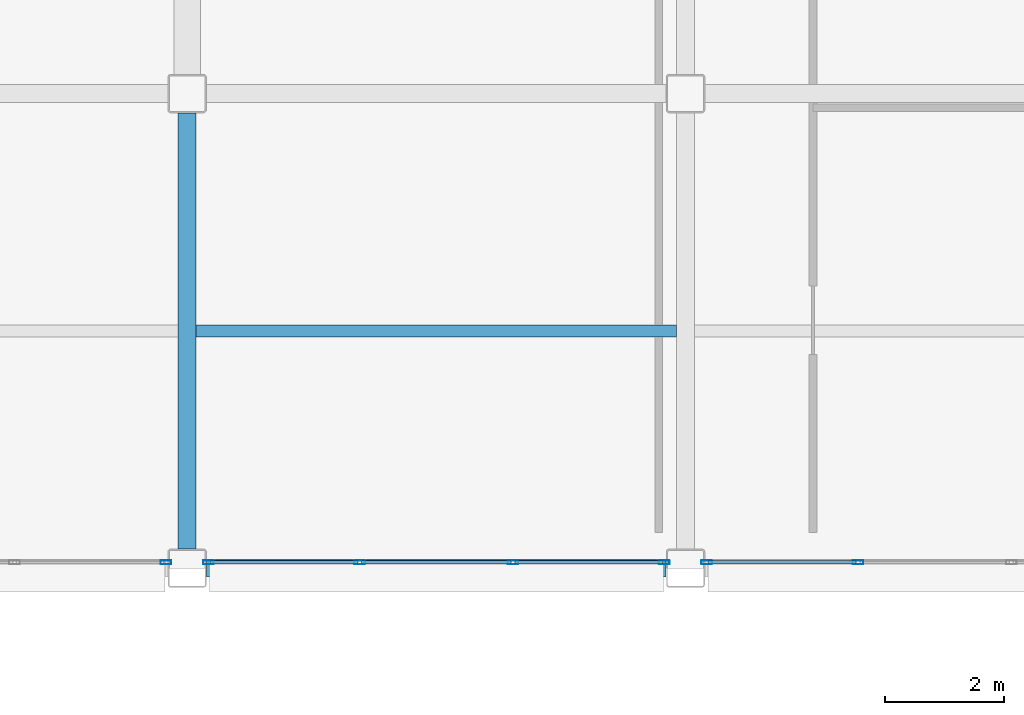
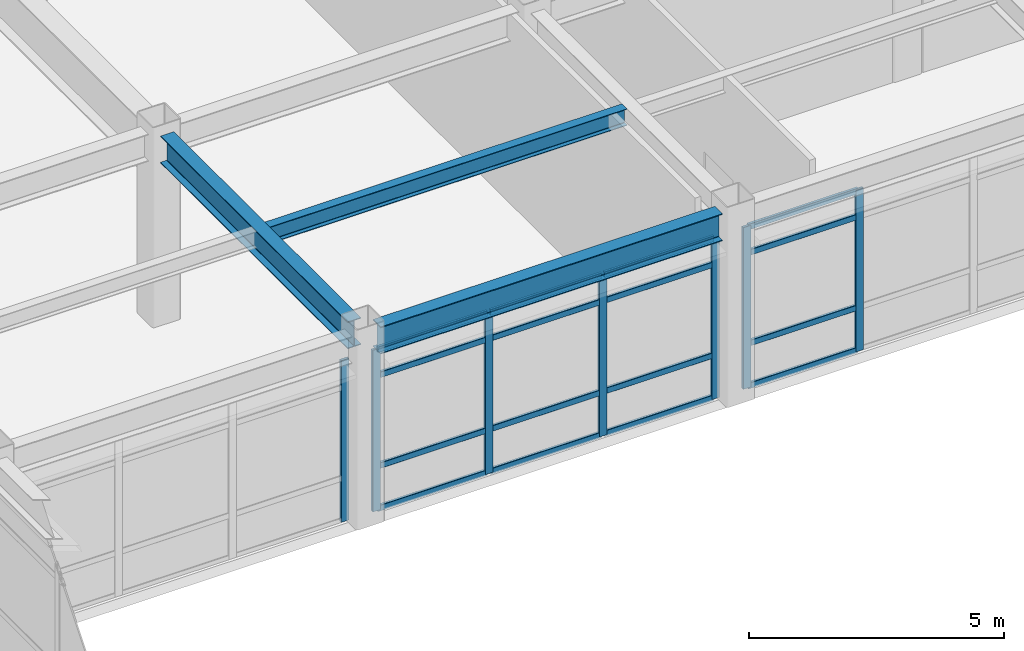
# One storey, part 43 of 172: 23 members, 3 beams, 3 elements without a shape of their own.
"""IFC4 building model written with IfcOpenShell, lengths in metres."""

from ifc_helpers import new_model, si_unit, direction, frame, origin, origin_2d, place, context, subcontext, project, spatial, hollow_rectangle, i_section, extrude, material, layer, layer_set, material_profile, profile_set, type_object, element, aggregate, save


model = new_model("IFC4")

# Units and contexts
model_context = context("Model", 3, precision=1e-05, world=origin(), true_north=direction((0.0, 1.0)))
body_context = subcontext(model_context, "Body", "Model", "MODEL_VIEW")
ifc_project = project(units=[si_unit("LENGTHUNIT", "METRE"), si_unit("AREAUNIT", "SQUARE_METRE"), si_unit("VOLUMEUNIT", "CUBIC_METRE"), si_unit("PLANEANGLEUNIT", "RADIAN"), si_unit("MASSUNIT", "GRAM", prefix="KILO")], contexts=[model_context])

# Site, building, storey
site_placement = place(None, origin())
site = spatial("IfcSite", under=ifc_project, at=site_placement, CompositionType="ELEMENT")
building_placement = place(site_placement, origin())
building = spatial("IfcBuilding", under=site, at=building_placement, Name="Kazehara Bluff Congress Hotel", CompositionType="ELEMENT")
storey_placement = place(building_placement, frame((0.0, 0.0, 5.39990234375)))
storey = spatial("IfcBuildingStorey", under=building, at=storey_placement, Name="L01", CompositionType="ELEMENT", Elevation=5.39990234375)

# Curtain wall, member
ifc_material_1 = material(Name="Anodised aluminium", Category="aluminium")
ifc_layer = layer(ifc_material_1, 0.159912109375)
ifc_layer_set = layer_set([ifc_layer], Name="Anodised aluminium")
curtain_wall_type = type_object("IfcCurtainWallType", Name="TP-CW-24", PredefinedType="NOTDEFINED", material=ifc_layer_set)
curtain_wall_1_placement = place(storey_placement, origin())
curtain_wall_1 = element("IfcCurtainWall", 1, at=curtain_wall_1_placement, inside=storey, type_object=curtain_wall_type, Name="L01 curtain wall CW-24 CW-ENC-V4-L01-8025-1610", PredefinedType="NOTDEFINED")
ifc_material_2 = material(Name="Anodised aluminium", Category="aluminium")
ifc_material_profile_1 = material_profile(ifc_material_2, hollow_rectangle(XDim=0.06494140625, YDim=0.179931640625, WallThickness=0.00390625, InnerFilletRadius=0.00390625, OuterFilletRadius=0.008056640625, at=origin_2d()))
ifc_profile_set_1 = profile_set([ifc_material_profile_1], Name="Anodised aluminium")
member_type_1 = type_object("IfcMemberType", Name="TP-CWM-02", PredefinedType="MULLION", material=ifc_profile_set_1)
member_1_placement = place(storey_placement, frame((84.092529296875, 16.10009765625, 0.0), z_axis=(0.0, 0.0, 1.0), x_axis=(0.0, -1.0, 0.0)))
member_1 = element("IfcMember", 2, at=member_1_placement, type_object=member_type_1, Name="CW-24 mullion 1", PredefinedType="MULLION", context=body_context, shape_type="SweptSolid", body=[
    extrude(hollow_rectangle(XDim=0.06494140625, YDim=0.179931640625, WallThickness=0.00390625, InnerFilletRadius=0.00390625, OuterFilletRadius=0.008056640625, at=origin_2d()), origin(), (0.0, 0.0, 1.0), 3.875),
])
aggregate(curtain_wall_1, [member_1])

# Curtain wall, members
curtain_wall_2_placement = place(storey_placement, origin())
curtain_wall_2 = element("IfcCurtainWall", 3, at=curtain_wall_2_placement, inside=storey, type_object=curtain_wall_type, Name="L01 curtain wall CW-24 CW-ENC-V4-L01-8865-1610", PredefinedType="NOTDEFINED")
member_2_placement = place(storey_placement, frame((92.492431640625, 16.10009765625, 0.0), z_axis=(0.0, 0.0, 1.0), x_axis=(0.0, -1.0, 0.0)))
member_2 = element("IfcMember", 4, at=member_2_placement, type_object=member_type_1, Name="CW-24 mullion 1", PredefinedType="MULLION", context=body_context, shape_type="SweptSolid", body=[
    extrude(hollow_rectangle(XDim=0.06494140625, YDim=0.179931640625, WallThickness=0.00390625, InnerFilletRadius=0.00390625, OuterFilletRadius=0.008056640625, at=origin_2d()), origin(), (0.0, 0.0, 1.0), 3.875),
])
member_3_placement = place(storey_placement, frame((89.941650390625, 16.10009765625, 0.0), z_axis=(0.0, 0.0, 1.0), x_axis=(0.0, -1.0, 0.0)))
member_3 = element("IfcMember", 5, at=member_3_placement, type_object=member_type_1, Name="CW-24 mullion 2", PredefinedType="MULLION", context=body_context, shape_type="SweptSolid", body=[
    extrude(hollow_rectangle(XDim=0.06494140625, YDim=0.179931640625, WallThickness=0.00390625, InnerFilletRadius=0.00390625, OuterFilletRadius=0.008056640625, at=origin_2d()), origin(), (0.0, 0.0, 1.0), 3.875),
])
member_4_placement = place(storey_placement, frame((87.3583984375, 16.10009765625, 0.0), z_axis=(0.0, 0.0, 1.0), x_axis=(0.0, -1.0, 0.0)))
member_4 = element("IfcMember", 6, at=member_4_placement, type_object=member_type_1, Name="CW-24 mullion 3", PredefinedType="MULLION", context=body_context, shape_type="SweptSolid", body=[
    extrude(hollow_rectangle(XDim=0.06494140625, YDim=0.179931640625, WallThickness=0.00390625, InnerFilletRadius=0.00390625, OuterFilletRadius=0.008056640625, at=origin_2d()), origin(), (0.0, 0.0, 1.0), 3.875),
])
member_5_placement = place(storey_placement, frame((84.8076171875, 16.10009765625, 0.0), z_axis=(0.0, 0.0, 1.0), x_axis=(0.0, -1.0, 0.0)))
member_5 = element("IfcMember", 7, at=member_5_placement, type_object=member_type_1, Name="CW-24 mullion 4", PredefinedType="MULLION", context=body_context, shape_type="SweptSolid", body=[
    extrude(hollow_rectangle(XDim=0.06494140625, YDim=0.179931640625, WallThickness=0.00390625, InnerFilletRadius=0.00390625, OuterFilletRadius=0.008056640625, at=origin_2d()), origin(), (0.0, 0.0, 1.0), 3.875),
])

curtain_wall_3_placement = place(storey_placement, origin())
curtain_wall_3 = element("IfcCurtainWall", 8, at=curtain_wall_3_placement, inside=storey, type_object=curtain_wall_type, Name="L01 curtain wall CW-24 CW-ENC-V4-L01-9705-1610", PredefinedType="NOTDEFINED")
member_6_placement = place(storey_placement, frame((95.75830078125, 16.10009765625, 0.0), z_axis=(0.0, 0.0, 1.0), x_axis=(0.0, -1.0, 0.0)))
member_6 = element("IfcMember", 9, at=member_6_placement, type_object=member_type_1, Name="CW-24 mullion 3", PredefinedType="MULLION", context=body_context, shape_type="SweptSolid", body=[
    extrude(hollow_rectangle(XDim=0.06494140625, YDim=0.179931640625, WallThickness=0.00390625, InnerFilletRadius=0.00390625, OuterFilletRadius=0.008056640625, at=origin_2d()), origin(), (0.0, 0.0, 1.0), 3.875),
])
member_7_placement = place(storey_placement, frame((93.20751953125, 16.10009765625, 0.0), z_axis=(0.0, 0.0, 1.0), x_axis=(0.0, -1.0, 0.0)))
member_7 = element("IfcMember", 10, at=member_7_placement, type_object=member_type_1, Name="CW-24 mullion 4", PredefinedType="MULLION", context=body_context, shape_type="SweptSolid", body=[
    extrude(hollow_rectangle(XDim=0.06494140625, YDim=0.179931640625, WallThickness=0.00390625, InnerFilletRadius=0.00390625, OuterFilletRadius=0.008056640625, at=origin_2d()), origin(), (0.0, 0.0, 1.0), 3.875),
])

# Member
ifc_material_3 = material(Name="Anodised aluminium", Category="aluminium")
ifc_material_profile_2 = material_profile(ifc_material_3, hollow_rectangle(XDim=0.06494140625, YDim=0.139892578125, WallThickness=0.00390625, InnerFilletRadius=0.00390625, OuterFilletRadius=0.008056640625, at=origin_2d()))
ifc_profile_set_2 = profile_set([ifc_material_profile_2], Name="Anodised aluminium")
member_type_2 = type_object("IfcMemberType", Name="TP-CWT-02", PredefinedType="USERDEFINED", material=ifc_profile_set_2)
member_8_placement = place(storey_placement, frame((92.4599609375, 16.10009765625, 0.03271484375), z_axis=(-1.0, 0.0, 0.0), x_axis=(0.0, -1.0, 0.0)))
member_8 = element("IfcMember", 11, at=member_8_placement, type_object=member_type_2, Name="CW-24 transom 1.1", ObjectType="TRANSOM", PredefinedType="USERDEFINED", context=body_context, shape_type="SweptSolid", body=[
    extrude(hollow_rectangle(XDim=0.06494140625, YDim=0.139892578125, WallThickness=0.00390625, InnerFilletRadius=0.00390625, OuterFilletRadius=0.008056640625, at=origin_2d()), origin(), (0.0, 0.0, 1.0), 2.48583984375),
])

member_9_placement = place(storey_placement, frame((92.4599609375, 16.10009765625, 1.050048828125), z_axis=(-1.0, 0.0, 0.0), x_axis=(0.0, -1.0, 0.0)))
member_9 = element("IfcMember", 12, at=member_9_placement, type_object=member_type_2, Name="CW-24 transom 1.2", ObjectType="TRANSOM", PredefinedType="USERDEFINED", context=body_context, shape_type="SweptSolid", body=[
    extrude(hollow_rectangle(XDim=0.06494140625, YDim=0.139892578125, WallThickness=0.00390625, InnerFilletRadius=0.00390625, OuterFilletRadius=0.008056640625, at=origin_2d()), origin(), (0.0, 0.0, 1.0), 2.48583984375),
])

member_10_placement = place(storey_placement, frame((92.4599609375, 16.10009765625, 3.22509765625), z_axis=(-1.0, 0.0, 0.0), x_axis=(0.0, -1.0, 0.0)))
member_10 = element("IfcMember", 13, at=member_10_placement, type_object=member_type_2, Name="CW-24 transom 1.3", ObjectType="TRANSOM", PredefinedType="USERDEFINED", context=body_context, shape_type="SweptSolid", body=[
    extrude(hollow_rectangle(XDim=0.06494140625, YDim=0.139892578125, WallThickness=0.00390625, InnerFilletRadius=0.00390625, OuterFilletRadius=0.008056640625, at=origin_2d()), origin(), (0.0, 0.0, 1.0), 2.48583984375),
])

member_11_placement = place(storey_placement, frame((92.4599609375, 16.10009765625, 3.842529296875), z_axis=(-1.0, 0.0, 0.0), x_axis=(0.0, -1.0, 0.0)))
member_11 = element("IfcMember", 14, at=member_11_placement, type_object=member_type_2, Name="CW-24 transom 1.4", ObjectType="TRANSOM", PredefinedType="USERDEFINED", context=body_context, shape_type="SweptSolid", body=[
    extrude(hollow_rectangle(XDim=0.06494140625, YDim=0.139892578125, WallThickness=0.00390625, InnerFilletRadius=0.00390625, OuterFilletRadius=0.008056640625, at=origin_2d()), origin(), (0.0, 0.0, 1.0), 2.48583984375),
])

member_12_placement = place(storey_placement, frame((89.9091796875, 16.10009765625, 0.03271484375), z_axis=(-1.0, 0.0, 0.0), x_axis=(0.0, -1.0, 0.0)))
member_12 = element("IfcMember", 15, at=member_12_placement, type_object=member_type_2, Name="CW-24 transom 2.1", ObjectType="TRANSOM", PredefinedType="USERDEFINED", context=body_context, shape_type="SweptSolid", body=[
    extrude(hollow_rectangle(XDim=0.06494140625, YDim=0.139892578125, WallThickness=0.00390625, InnerFilletRadius=0.00390625, OuterFilletRadius=0.008056640625, at=origin_2d()), origin(), (0.0, 0.0, 1.0), 2.518310546875),
])

member_13_placement = place(storey_placement, frame((89.9091796875, 16.10009765625, 1.050048828125), z_axis=(-1.0, 0.0, 0.0), x_axis=(0.0, -1.0, 0.0)))
member_13 = element("IfcMember", 16, at=member_13_placement, type_object=member_type_2, Name="CW-24 transom 2.2", ObjectType="TRANSOM", PredefinedType="USERDEFINED", context=body_context, shape_type="SweptSolid", body=[
    extrude(hollow_rectangle(XDim=0.06494140625, YDim=0.139892578125, WallThickness=0.00390625, InnerFilletRadius=0.00390625, OuterFilletRadius=0.008056640625, at=origin_2d()), origin(), (0.0, 0.0, 1.0), 2.518310546875),
])

member_14_placement = place(storey_placement, frame((89.9091796875, 16.10009765625, 3.22509765625), z_axis=(-1.0, 0.0, 0.0), x_axis=(0.0, -1.0, 0.0)))
member_14 = element("IfcMember", 17, at=member_14_placement, type_object=member_type_2, Name="CW-24 transom 2.3", ObjectType="TRANSOM", PredefinedType="USERDEFINED", context=body_context, shape_type="SweptSolid", body=[
    extrude(hollow_rectangle(XDim=0.06494140625, YDim=0.139892578125, WallThickness=0.00390625, InnerFilletRadius=0.00390625, OuterFilletRadius=0.008056640625, at=origin_2d()), origin(), (0.0, 0.0, 1.0), 2.518310546875),
])

member_15_placement = place(storey_placement, frame((89.9091796875, 16.10009765625, 3.842529296875), z_axis=(-1.0, 0.0, 0.0), x_axis=(0.0, -1.0, 0.0)))
member_15 = element("IfcMember", 18, at=member_15_placement, type_object=member_type_2, Name="CW-24 transom 2.4", ObjectType="TRANSOM", PredefinedType="USERDEFINED", context=body_context, shape_type="SweptSolid", body=[
    extrude(hollow_rectangle(XDim=0.06494140625, YDim=0.139892578125, WallThickness=0.00390625, InnerFilletRadius=0.00390625, OuterFilletRadius=0.008056640625, at=origin_2d()), origin(), (0.0, 0.0, 1.0), 2.518310546875),
])

member_16_placement = place(storey_placement, frame((87.325927734375, 16.10009765625, 0.03271484375), z_axis=(-1.0, 0.0, 0.0), x_axis=(0.0, -1.0, 0.0)))
member_16 = element("IfcMember", 19, at=member_16_placement, type_object=member_type_2, Name="CW-24 transom 3.1", ObjectType="TRANSOM", PredefinedType="USERDEFINED", context=body_context, shape_type="SweptSolid", body=[
    extrude(hollow_rectangle(XDim=0.06494140625, YDim=0.139892578125, WallThickness=0.00390625, InnerFilletRadius=0.00390625, OuterFilletRadius=0.008056640625, at=origin_2d()), origin(), (0.0, 0.0, 1.0), 2.48583984375),
])

member_17_placement = place(storey_placement, frame((87.325927734375, 16.10009765625, 1.050048828125), z_axis=(-1.0, 0.0, 0.0), x_axis=(0.0, -1.0, 0.0)))
member_17 = element("IfcMember", 20, at=member_17_placement, type_object=member_type_2, Name="CW-24 transom 3.2", ObjectType="TRANSOM", PredefinedType="USERDEFINED", context=body_context, shape_type="SweptSolid", body=[
    extrude(hollow_rectangle(XDim=0.06494140625, YDim=0.139892578125, WallThickness=0.00390625, InnerFilletRadius=0.00390625, OuterFilletRadius=0.008056640625, at=origin_2d()), origin(), (0.0, 0.0, 1.0), 2.48583984375),
])

member_18_placement = place(storey_placement, frame((87.325927734375, 16.10009765625, 3.22509765625), z_axis=(-1.0, 0.0, 0.0), x_axis=(0.0, -1.0, 0.0)))
member_18 = element("IfcMember", 21, at=member_18_placement, type_object=member_type_2, Name="CW-24 transom 3.3", ObjectType="TRANSOM", PredefinedType="USERDEFINED", context=body_context, shape_type="SweptSolid", body=[
    extrude(hollow_rectangle(XDim=0.06494140625, YDim=0.139892578125, WallThickness=0.00390625, InnerFilletRadius=0.00390625, OuterFilletRadius=0.008056640625, at=origin_2d()), origin(), (0.0, 0.0, 1.0), 2.48583984375),
])

member_19_placement = place(storey_placement, frame((87.325927734375, 16.10009765625, 3.842529296875), z_axis=(-1.0, 0.0, 0.0), x_axis=(0.0, -1.0, 0.0)))
member_19 = element("IfcMember", 22, at=member_19_placement, type_object=member_type_2, Name="CW-24 transom 3.4", ObjectType="TRANSOM", PredefinedType="USERDEFINED", context=body_context, shape_type="SweptSolid", body=[
    extrude(hollow_rectangle(XDim=0.06494140625, YDim=0.139892578125, WallThickness=0.00390625, InnerFilletRadius=0.00390625, OuterFilletRadius=0.008056640625, at=origin_2d()), origin(), (0.0, 0.0, 1.0), 2.48583984375),
])

aggregate(curtain_wall_2, [member_2, member_3, member_4, member_5, member_8, member_9, member_10, member_11, member_12, member_13, member_14, member_15, member_16, member_17, member_18, member_19])

member_20_placement = place(storey_placement, frame((95.725830078125, 16.10009765625, 0.03271484375), z_axis=(-1.0, 0.0, 0.0), x_axis=(0.0, -1.0, 0.0)))
member_20 = element("IfcMember", 23, at=member_20_placement, type_object=member_type_2, Name="CW-24 transom 3.1", ObjectType="TRANSOM", PredefinedType="USERDEFINED", context=body_context, shape_type="SweptSolid", body=[
    extrude(hollow_rectangle(XDim=0.06494140625, YDim=0.139892578125, WallThickness=0.00390625, InnerFilletRadius=0.00390625, OuterFilletRadius=0.008056640625, at=origin_2d()), origin(), (0.0, 0.0, 1.0), 2.48583984375),
])

member_21_placement = place(storey_placement, frame((95.725830078125, 16.10009765625, 1.050048828125), z_axis=(-1.0, 0.0, 0.0), x_axis=(0.0, -1.0, 0.0)))
member_21 = element("IfcMember", 24, at=member_21_placement, type_object=member_type_2, Name="CW-24 transom 3.2", ObjectType="TRANSOM", PredefinedType="USERDEFINED", context=body_context, shape_type="SweptSolid", body=[
    extrude(hollow_rectangle(XDim=0.06494140625, YDim=0.139892578125, WallThickness=0.00390625, InnerFilletRadius=0.00390625, OuterFilletRadius=0.008056640625, at=origin_2d()), origin(), (0.0, 0.0, 1.0), 2.48583984375),
])

member_22_placement = place(storey_placement, frame((95.725830078125, 16.10009765625, 3.22509765625), z_axis=(-1.0, 0.0, 0.0), x_axis=(0.0, -1.0, 0.0)))
member_22 = element("IfcMember", 25, at=member_22_placement, type_object=member_type_2, Name="CW-24 transom 3.3", ObjectType="TRANSOM", PredefinedType="USERDEFINED", context=body_context, shape_type="SweptSolid", body=[
    extrude(hollow_rectangle(XDim=0.06494140625, YDim=0.139892578125, WallThickness=0.00390625, InnerFilletRadius=0.00390625, OuterFilletRadius=0.008056640625, at=origin_2d()), origin(), (0.0, 0.0, 1.0), 2.48583984375),
])

member_23_placement = place(storey_placement, frame((95.725830078125, 16.10009765625, 3.842529296875), z_axis=(-1.0, 0.0, 0.0), x_axis=(0.0, -1.0, 0.0)))
member_23 = element("IfcMember", 26, at=member_23_placement, type_object=member_type_2, Name="CW-24 transom 3.4", ObjectType="TRANSOM", PredefinedType="USERDEFINED", context=body_context, shape_type="SweptSolid", body=[
    extrude(hollow_rectangle(XDim=0.06494140625, YDim=0.139892578125, WallThickness=0.00390625, InnerFilletRadius=0.00390625, OuterFilletRadius=0.008056640625, at=origin_2d()), origin(), (0.0, 0.0, 1.0), 2.48583984375),
])

aggregate(curtain_wall_3, [member_6, member_7, member_20, member_21, member_22, member_23])

# Beams
ifc_material_4 = material(Name="Steel SN490B", Category="steel")
ifc_material_profile_3 = material_profile(ifc_material_4, i_section(OverallWidth=0.300048828125, OverallDepth=0.64990234375, WebThickness=0.011962890625, FlangeThickness=0.02001953125, FilletRadius=0.012939453125, at=origin_2d()))
ifc_profile_set_3 = profile_set([ifc_material_profile_3], Name="Steel SN490B")
beam_type_1 = type_object("IfcBeamType", Name="TP-G-03", PredefinedType="BEAM", material=ifc_profile_set_3)
beam_1_placement = place(storey_placement, frame((84.449951171875, 16.324951171875, 4.22509765625), z_axis=(0.0, 1.0, 0.0), x_axis=(-1.0, 0.0, 0.0)))
element("IfcBeam", 27, at=beam_1_placement, inside=storey, type_object=beam_type_1, Name="L01 girder G-03 168", PredefinedType="BEAM", context=body_context, shape_type="SweptSolid", body=[
    extrude(i_section(OverallWidth=0.300048828125, OverallDepth=0.64990234375, WebThickness=0.011962890625, FlangeThickness=0.02001953125, FilletRadius=0.012939453125, at=origin_2d()), origin(), (0.0, 0.0, 1.0), 7.35009765625),
])
beam_2_placement = place(storey_placement, frame((84.77490234375, 16.0, 4.22509765625), z_axis=(1.0, 0.0, 0.0), x_axis=(0.0, 1.0, 0.0)))
element("IfcBeam", 28, at=beam_2_placement, inside=storey, type_object=beam_type_1, Name="L01 girder G-03 190", PredefinedType="BEAM", context=body_context, shape_type="SweptSolid", body=[
    extrude(i_section(OverallWidth=0.300048828125, OverallDepth=0.64990234375, WebThickness=0.011962890625, FlangeThickness=0.02001953125, FilletRadius=0.012939453125, at=origin_2d()), origin(), (0.0, 0.0, 1.0), 7.75),
])
ifc_material_5 = material(Name="Steel SN400B", Category="steel")
ifc_material_profile_4 = material_profile(ifc_material_5, i_section(OverallWidth=0.199951171875, OverallDepth=0.39990234375, WebThickness=0.008056640625, FlangeThickness=0.012939453125, FilletRadius=0.012939453125, at=origin_2d()))
ifc_profile_set_4 = profile_set([ifc_material_profile_4], Name="Steel SN400B")
beam_type_2 = type_object("IfcBeamType", Name="TP-J-03", PredefinedType="JOIST", material=ifc_profile_set_4)
beam_3_placement = place(storey_placement, frame((84.60009765625, 20.0, 4.35009765625), z_axis=(1.0, 0.0, 0.0), x_axis=(0.0, 1.0, 0.0)))
element("IfcBeam", 29, at=beam_3_placement, inside=storey, type_object=beam_type_2, Name="L01 secondary joist J-03 44", PredefinedType="JOIST", context=body_context, shape_type="SweptSolid", body=[
    extrude(i_section(OverallWidth=0.199951171875, OverallDepth=0.39990234375, WebThickness=0.008056640625, FlangeThickness=0.012939453125, FilletRadius=0.012939453125, at=origin_2d()), origin(), (0.0, 0.0, 1.0), 8.099853515625),
])

save(model, "model.ifc")
